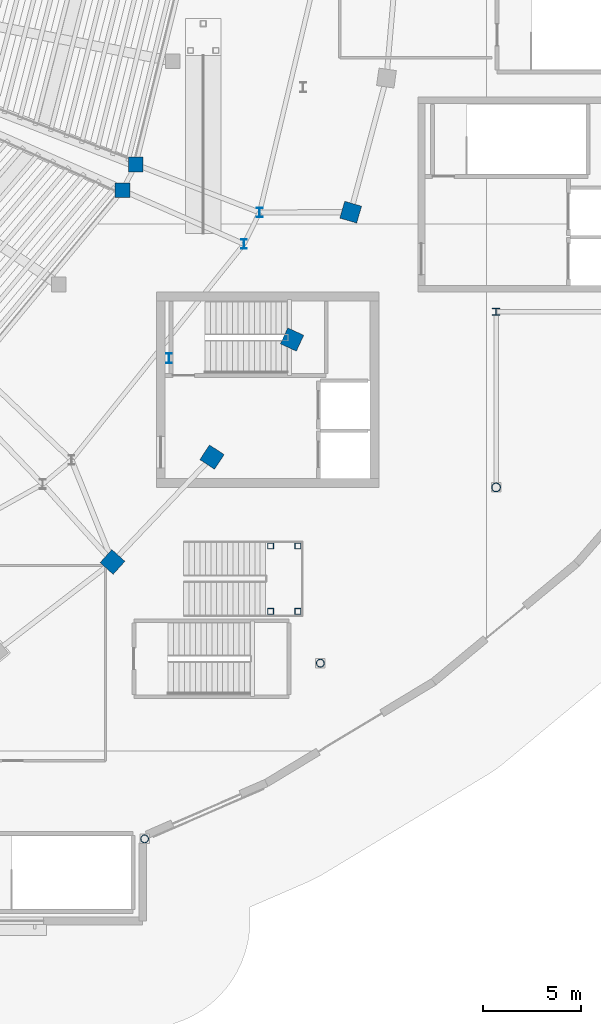
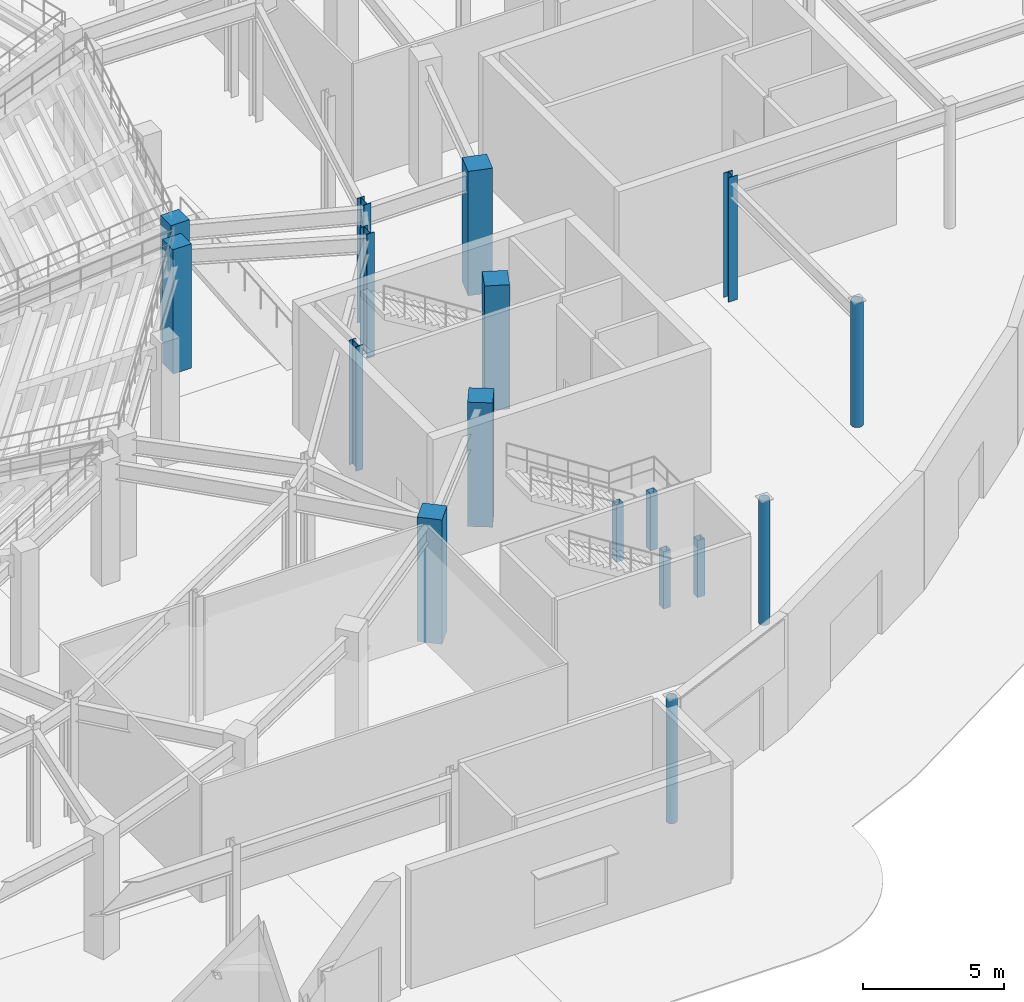
# One storey, part 16 of 79: 17 columns.
"""IFC4 building model written with IfcOpenShell, lengths in metres."""

from ifc_helpers import new_model, si_unit, direction, frame, origin, origin_2d, place, context, subcontext, project, spatial, rectangle, hollow_rectangle, hollow_circle, i_section, extrude, material, material_profile, profile_set, type_object, element, save


model = new_model("IFC4")

# Units and contexts
model_context = context("Model", 3, precision=1e-05, world=origin(), true_north=direction((0.0, 1.0)))
body_context = subcontext(model_context, "Body", "Model", "MODEL_VIEW")
ifc_project = project(units=[si_unit("LENGTHUNIT", "METRE"), si_unit("AREAUNIT", "SQUARE_METRE"), si_unit("VOLUMEUNIT", "CUBIC_METRE"), si_unit("PLANEANGLEUNIT", "RADIAN"), si_unit("MASSUNIT", "GRAM", prefix="KILO")], contexts=[model_context])

# Site, building, storey
site_placement = place(None, origin())
site = spatial("IfcSite", under=ifc_project, at=site_placement, CompositionType="ELEMENT")
building_placement = place(site_placement, origin())
building = spatial("IfcBuilding", under=site, at=building_placement, Name="Glasvene Arena", CompositionType="ELEMENT")
storey_placement = place(building_placement, origin())
storey = spatial("IfcBuildingStorey", under=building, at=storey_placement, Name="L00", CompositionType="ELEMENT", Elevation=0.0)

# Columns
ifc_material_1 = material(Name="Concrete C40/50", Category="concrete")
ifc_material_profile_1 = material_profile(ifc_material_1, rectangle(XDim=0.89990234375, YDim=0.89990234375, at=origin_2d()), Name="RC 900x900")
ifc_profile_set_1 = profile_set([ifc_material_profile_1], Name="Concrete C40/50")
column_type_1 = type_object("IfcColumnType", Name="COL-BOWL-RC900", PredefinedType="COLUMN", material=ifc_profile_set_1)
for number, where, z_axis, x_axis, name in (
    (1, (127.355224609375, 41.18017578125, 0.0), (0.0, 0.0, 1.0), (0.74326159948, -0.669000892928, 0.0), "Bowl ring column R36 L00"),
    (2, (132.45068359375, 46.5498046875, 0.0), (0.0, 0.0, 1.0), (0.836955398099, -0.547271104292, 0.0), "Bowl ring column R37 L00"),
    (3, (136.55029296875, 52.5703125, 0.0), (0.0, 0.0, 1.0), (0.909018020308, -0.416756810089, 0.0), "Bowl ring column R38 L00"),
    (4, (139.552734375, 59.09423828125, 0.0), (0.0, 0.0, 1.0), (0.959805291975, -0.280666708921, 0.0), "Bowl ring column R39 L00"),
):
    element("IfcColumn", number, at=place(storey_placement, frame(where, z_axis=z_axis, x_axis=x_axis)), inside=storey, type_object=column_type_1, Name=name, PredefinedType="COLUMN", context=body_context, shape_type="SweptSolid", body=[
        extrude(rectangle(XDim=0.89990234375, YDim=0.89990234375, at=origin_2d()), origin(), (0.0, 0.0, 1.0), 5.39990234375),
    ])
ifc_material_profile_2 = material_profile(ifc_material_1, rectangle(XDim=0.75, YDim=0.75, at=origin_2d()), Name="RC 750x750")
ifc_profile_set_2 = profile_set([ifc_material_profile_2], Name="Concrete C40/50")
column_type_2 = type_object("IfcColumnType", Name="COL-MID-RC750", PredefinedType="COLUMN", material=ifc_profile_set_2)
for number, where, z_axis, x_axis, name in (
    (5, (127.866455078125, 60.20751953125, 0.0), (0.0, 0.0, 1.0), (1.0, 0.0, 0.0), "Mid-bowl fulcrum column L00 15-2"),
    (6, (128.547119140625, 61.53662109375, 0.0), (0.0, 0.0, 1.0), (1.0, 0.0, 0.0), "Mid-bowl fulcrum column L00 16-1"),
):
    element("IfcColumn", number, at=place(storey_placement, frame(where, z_axis=z_axis, x_axis=x_axis)), inside=storey, type_object=column_type_2, Name=name, PredefinedType="COLUMN", context=body_context, shape_type="SweptSolid", body=[
        extrude(rectangle(XDim=0.75, YDim=0.75, at=origin_2d()), origin(), (0.0, 0.0, 1.0), 5.39990234375),
    ])
ifc_material_2 = material(Name="Steel S355J2", Category="steel")
ifc_material_profile_3 = material_profile(ifc_material_2, hollow_circle(Radius=0.203125, WallThickness=0.01611328125, at=origin_2d()), Name="CHS 406.4x16.0")
ifc_profile_set_3 = profile_set([ifc_material_profile_3], Name="Steel S355J2")
column_type_3 = type_object("IfcColumnType", Name="COL-W-CHS406", PredefinedType="COLUMN", material=ifc_profile_set_3)
for number, where, z_axis, x_axis, name in (
    (7, (129.0, 27.0, 0.0), (0.0, 0.0, 1.0), (1.0, 0.0, 0.0), "Grid column 15-4 L00"),
    (8, (138.0, 36.0, 0.0), (0.0, 0.0, 1.0), (1.0, 0.0, 0.0), "Grid column 16-5 L00"),
):
    element("IfcColumn", number, at=place(storey_placement, frame(where, z_axis=z_axis, x_axis=x_axis)), inside=storey, type_object=column_type_3, Name=name, PredefinedType="COLUMN", context=body_context, shape_type="SweptSolid", body=[
        extrude(hollow_circle(Radius=0.203125, WallThickness=0.01611328125, at=origin_2d()), origin(), (0.0, 0.0, 1.0), 5.39990234375),
    ])
ifc_material_profile_4 = material_profile(ifc_material_2, hollow_circle(Radius=0.228515625, WallThickness=0.02001953125, at=origin_2d()), Name="CHS 457.0x20.0")
ifc_profile_set_4 = profile_set([ifc_material_profile_4], Name="Steel S355J2")
column_type_4 = type_object("IfcColumnType", Name="COL-W-CHS457", PredefinedType="COLUMN", material=ifc_profile_set_4)
column_1_placement = place(storey_placement, frame((147.0, 45.0, 0.0), z_axis=(0.0, 0.0, 1.0), x_axis=(1.0, 0.0, 0.0)))
element("IfcColumn", 9, at=column_1_placement, inside=storey, type_object=column_type_4, Name="Grid column 17-6 L00", PredefinedType="COLUMN", context=body_context, shape_type="SweptSolid", body=[
    extrude(hollow_circle(Radius=0.228515625, WallThickness=0.02001953125, at=origin_2d()), origin(), (0.0, 0.0, 1.0), 5.39990234375),
])
ifc_material_profile_5 = material_profile(ifc_material_2, i_section(OverallWidth=0.300048828125, OverallDepth=0.5, WebThickness=0.014404296875, FlangeThickness=0.028076171875, FilletRadius=0.027099609375, at=origin_2d()), Name="HEB 500")
ifc_profile_set_5 = profile_set([ifc_material_profile_5], Name="Steel S355J2")
column_type_5 = type_object("IfcColumnType", Name="COL-W-HEB500", PredefinedType="COLUMN", material=ifc_profile_set_5)
for number, where, z_axis, x_axis, name in (
    (10, (134.088134765625, 57.46337890625, 0.0), (0.0, 0.0, 1.0), (1.0, 0.0, 0.0), "Upper raker rear column L00 15-2"),
    (11, (134.886962890625, 59.077392578125, 0.0), (0.0, 0.0, 1.0), (1.0, 0.0, 0.0), "Upper raker rear column L00 16-1"),
    (12, (130.24755859375, 51.610595703125, 0.0), (0.0, 0.0, 1.0), (1.0, 0.0, 0.0), "Mid-sector rear raker column L00 15"),
):
    element("IfcColumn", number, at=place(storey_placement, frame(where, z_axis=z_axis, x_axis=x_axis)), inside=storey, type_object=column_type_5, Name=name, PredefinedType="COLUMN", context=body_context, shape_type="SweptSolid", body=[
        extrude(i_section(OverallWidth=0.300048828125, OverallDepth=0.5, WebThickness=0.014404296875, FlangeThickness=0.028076171875, FilletRadius=0.027099609375, at=origin_2d()), origin(), (0.0, 0.0, 1.0), 5.39990234375),
    ])
ifc_material_profile_6 = material_profile(ifc_material_2, hollow_rectangle(XDim=0.300048828125, YDim=0.300048828125, WallThickness=0.012451171875, at=origin_2d()), Name="SHS 300x300x12.5")
ifc_profile_set_6 = profile_set([ifc_material_profile_6], Name="Steel S355J2")
column_type_6 = type_object("IfcColumnType", Name="COL-W-SHS300", PredefinedType="COLUMN", material=ifc_profile_set_6)
for number, where, z_axis, x_axis, name in (
    (13, (135.449951171875, 38.64990234375, 0.0), (0.0, 0.0, 1.0), (1.0, 0.0, 0.0), "Vomitory landing column VOM-02 L00"),
    (14, (135.449951171875, 42.0, 0.0), (0.0, 0.0, 1.0), (1.0, 0.0, 0.0), "Vomitory landing column VOM-02 L00"),
    (15, (136.85009765625, 38.64990234375, 0.0), (0.0, 0.0, 1.0), (1.0, 0.0, 0.0), "Vomitory landing column VOM-02 L00"),
    (16, (136.85009765625, 42.0, 0.0), (0.0, 0.0, 1.0), (1.0, 0.0, 0.0), "Vomitory landing column VOM-02 L00"),
):
    element("IfcColumn", number, at=place(storey_placement, frame(where, z_axis=z_axis, x_axis=x_axis)), inside=storey, type_object=column_type_6, Name=name, PredefinedType="COLUMN", context=body_context, shape_type="SweptSolid", body=[
        extrude(hollow_rectangle(XDim=0.300048828125, YDim=0.300048828125, WallThickness=0.012451171875, at=origin_2d()), origin(), (0.0, 0.0, 1.0), 2.47998046875),
    ])
ifc_material_profile_7 = material_profile(ifc_material_2, i_section(OverallWidth=0.37255859375, OverallDepth=0.3681640625, WebThickness=0.014404296875, FlangeThickness=0.023681640625, FilletRadius=0.01513671875, at=origin_2d()), Name="UKC 356x368x177")
ifc_profile_set_7 = profile_set([ifc_material_profile_7], Name="Steel S355J2")
column_type_7 = type_object("IfcColumnType", Name="COL-W-UKC177", PredefinedType="COLUMN", material=ifc_profile_set_7)
column_2_placement = place(storey_placement, frame((147.0, 54.0, 0.0), z_axis=(0.0, 0.0, 1.0), x_axis=(1.0, 0.0, 0.0)))
element("IfcColumn", 17, at=column_2_placement, inside=storey, type_object=column_type_7, Name="Grid column 17-7 L00", PredefinedType="COLUMN", context=body_context, shape_type="SweptSolid", body=[
    extrude(i_section(OverallWidth=0.37255859375, OverallDepth=0.3681640625, WebThickness=0.014404296875, FlangeThickness=0.023681640625, FilletRadius=0.01513671875, at=origin_2d()), origin(), (0.0, 0.0, 1.0), 5.39990234375),
])

save(model, "model.ifc")
